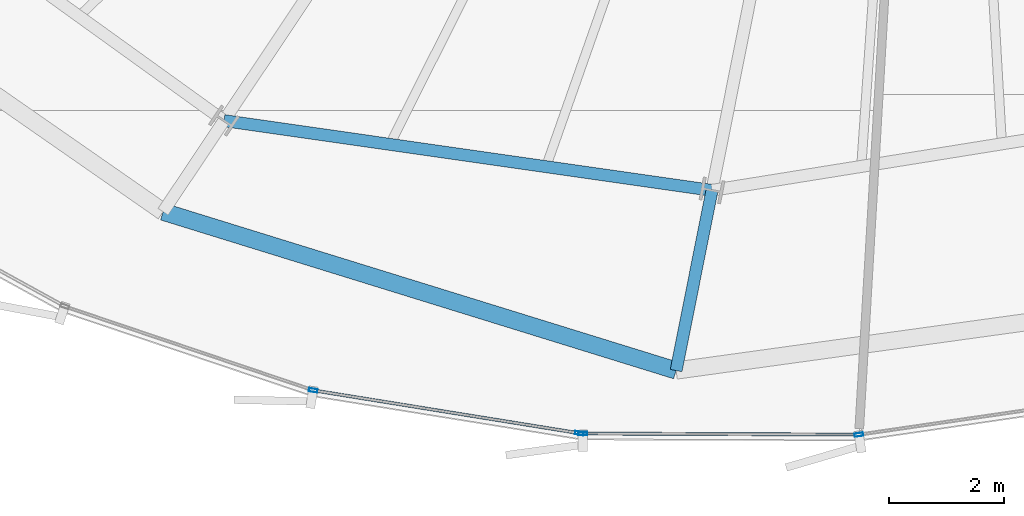
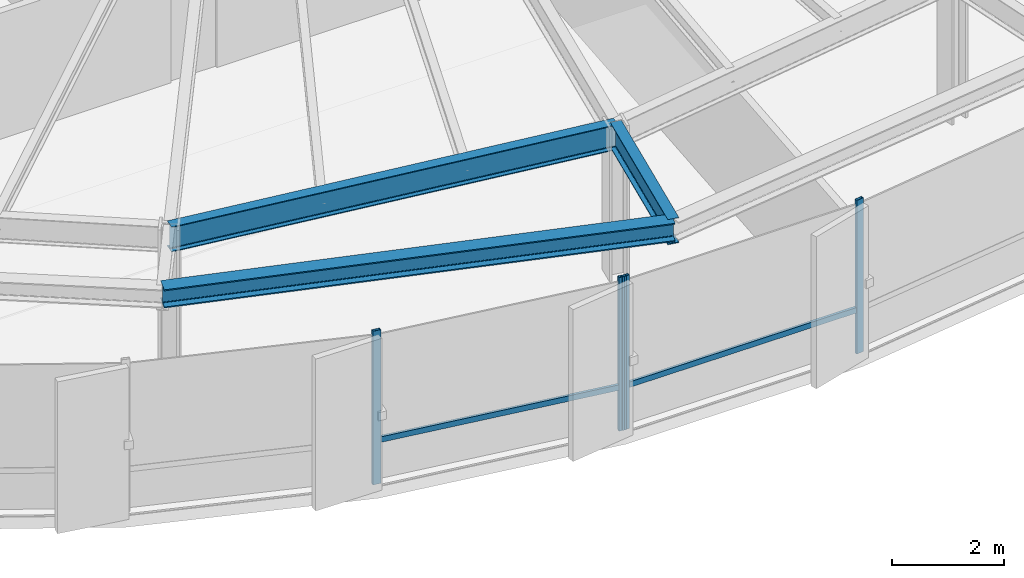
# One storey, part 5 of 33: 6 members, 3 beams, 2 elements without a shape of their own.
"""IFC4 building model written with IfcOpenShell, lengths in metres."""

from ifc_helpers import new_model, si_unit, direction, frame, origin, origin_2d, place, context, subcontext, project, spatial, hollow_rectangle, i_section, extrude, source, transform, mapped, material, layer, layer_set, material_profile, profile_set, type_object, element, aggregate, save


model = new_model("IFC4")

# Units and contexts
model_context = context("Model", 3, precision=1e-05, world=origin(), true_north=direction((0.0, 1.0)))
body_context = subcontext(model_context, "Body", "Model", "MODEL_VIEW")
ifc_project = project(units=[si_unit("LENGTHUNIT", "METRE"), si_unit("AREAUNIT", "SQUARE_METRE"), si_unit("VOLUMEUNIT", "CUBIC_METRE"), si_unit("PLANEANGLEUNIT", "RADIAN"), si_unit("MASSUNIT", "GRAM", prefix="KILO"), si_unit("THERMODYNAMICTEMPERATUREUNIT", "KELVIN")], contexts=[model_context])

# Site, building, storey
site_placement = place(None, origin())
site = spatial("IfcSite", under=ifc_project, at=site_placement, CompositionType="ELEMENT")
building_placement = place(site_placement, origin())
building = spatial("IfcBuilding", under=site, at=building_placement, Name="Kethvar Cultural Tower", CompositionType="ELEMENT")
storey_placement = place(building_placement, frame((0.0, 0.0, 118.0)))
storey = spatial("IfcBuildingStorey", under=building, at=storey_placement, Name="L29", CompositionType="ELEMENT", Elevation=118.0)

# Beams
ifc_material_1 = material(Name="Steel S355J2", Category="steel")
ifc_material_profile_1 = material_profile(ifc_material_1, i_section(OverallWidth=0.2099609375, OverallDepth=0.550048828125, WebThickness=0.010986328125, FlangeThickness=0.01708984375, FilletRadius=0.02392578125, at=origin_2d()), Name="Steel S355J2 — IPE550")
ifc_profile_set_1 = profile_set([ifc_material_profile_1], Name="Steel S355J2 — IPE550")
beam_type_1 = type_object("IfcBeamType", Name="BM-IPE550", PredefinedType="BEAM", material=ifc_profile_set_1)
shared_shape_1 = source(origin(), body_context, "Body", "SweptSolid", [
    extrude(i_section(OverallWidth=0.2099609375, OverallDepth=0.550048828125, WebThickness=0.010986328125, FlangeThickness=0.01708984375, FilletRadius=0.02392578125, at=origin_2d()), origin(), (0.0, 0.0, 1.0), 3.2001953125),
])
beam_1_placement = place(storey_placement, frame((42.852294921875, 7.95361328125, 3.072998046875), z_axis=(-0.195074368086, -0.980788453702, 0.0), x_axis=(0.980788453702, -0.195074368086, 0.0)))
element("IfcBeam", 1, at=beam_1_placement, inside=storey, type_object=beam_type_1, Name="L29 Perimeter Cantilever Beam RC-12", PredefinedType="BEAM", context=body_context, shape_type="MappedRepresentation", body=[
    mapped(shared_shape_1, transform((0.0, 0.0, 0.0), scale=1.0)),
])
shared_shape_2 = source(origin(), body_context, "Body", "SweptSolid", [
    extrude(i_section(OverallWidth=0.2099609375, OverallDepth=0.550048828125, WebThickness=0.010986328125, FlangeThickness=0.01708984375, FilletRadius=0.02392578125, at=origin_2d()), origin(), (0.0, 0.0, 1.0), 8.587890625),
])
beam_2_placement = place(storey_placement, frame((34.350830078125, 9.16845703125, 3.072998046875), z_axis=(0.989943807123, -0.141461156288, 0.0), x_axis=(0.141461156288, 0.989943807123, 0.0)))
element("IfcBeam", 2, at=beam_2_placement, inside=storey, type_object=beam_type_1, Name="L29 Column Ring Tie Beam CR-11", PredefinedType="BEAM", context=body_context, shape_type="MappedRepresentation", body=[
    mapped(shared_shape_2, transform((0.0, 0.0, 0.0), scale=1.0)),
])
ifc_material_profile_2 = material_profile(ifc_material_1, i_section(OverallWidth=0.300048828125, OverallDepth=0.39990234375, WebThickness=0.013427734375, FlangeThickness=0.02392578125, FilletRadius=0.027099609375, at=origin_2d()), Name="Steel S355J2 — HEB400")
ifc_profile_set_2 = profile_set([ifc_material_profile_2], Name="Steel S355J2 — HEB400")
beam_type_2 = type_object("IfcBeamType", Name="BM-SP400", PredefinedType="SPANDREL", material=ifc_profile_set_2)
shared_shape_3 = source(origin(), body_context, "Body", "SweptSolid", [
    extrude(i_section(OverallWidth=0.300048828125, OverallDepth=0.39990234375, WebThickness=0.013427734375, FlangeThickness=0.02392578125, FilletRadius=0.027099609375, at=origin_2d()), origin(), (0.0, 0.0, 1.0), 9.35595703125),
])
beam_3_placement = place(storey_placement, frame((33.290283203125, 7.581298828125, 3.14794921875), z_axis=(0.955288523039, -0.29567522343, 0.0), x_axis=(0.29567522343, 0.955288523039, 0.0)))
element("IfcBeam", 3, at=beam_3_placement, inside=storey, type_object=beam_type_2, Name="L29 Perimeter Spandrel Beam SP-11", PredefinedType="SPANDREL", context=body_context, shape_type="MappedRepresentation", body=[
    mapped(shared_shape_3, transform((0.0, 0.0, 0.0), scale=1.0)),
])

# Curtain wall, members
ifc_material_2 = material(Name="Aluminium 6063-T6", Category="aluminium")
ifc_layer = layer(ifc_material_2, 0.179931640625, Name="Aluminium 6063-T6", Category="aluminium")
ifc_layer_set = layer_set([ifc_layer], Name="Aluminium 6063-T6 (180 mm)")
curtain_wall_type = type_object("IfcCurtainWallType", Name="CW-SYS-03-Z2", PredefinedType="NOTDEFINED", material=ifc_layer_set)
curtain_wall_1_placement = place(storey_placement, origin())
curtain_wall_1 = element("IfcCurtainWall", 4, at=curtain_wall_1_placement, inside=storey, type_object=curtain_wall_type, Name="L29 Curtain Wall Run 04", PredefinedType="NOTDEFINED")
ifc_material_profile_3 = material_profile(ifc_material_2, hollow_rectangle(XDim=0.06005859375, YDim=0.14990234375, WallThickness=0.0048828125, at=origin_2d()), Name="Aluminium 6063-T6 — RHS150x60x5")
ifc_profile_set_3 = profile_set([ifc_material_profile_3], Name="Aluminium 6063-T6 — RHS150x60x5")
member_type_1 = type_object("IfcMemberType", Name="CW-SYS-03-Z2-MUL", PredefinedType="MULLION", material=ifc_profile_set_3)
shared_shape_4 = source(origin(), body_context, "Body", "SweptSolid", [
    extrude(hollow_rectangle(XDim=0.06005859375, YDim=0.14990234375, WallThickness=0.0048828125, at=origin_2d()), origin(), (0.0, 0.0, 1.0), 3.35009765625),
])
member_1_placement = place(storey_placement, frame((35.90283203125, 4.47021484375, 0.0), z_axis=(0.0, 0.0, 1.0), x_axis=(0.159123074391, 0.987258753922, 0.0)))
member_1 = element("IfcMember", 5, at=member_1_placement, type_object=member_type_1, Name="CW-L29-R04 Mullion 6", PredefinedType="MULLION", context=body_context, shape_type="MappedRepresentation", body=[
    mapped(shared_shape_4, transform((0.0, 0.0, 0.0), scale=1.0)),
])
member_2_placement = place(storey_placement, frame((40.541748046875, 3.72265625, 0.0), z_axis=(0.0, 0.0, 1.0), x_axis=(0.159123074391, 0.987258753922, 0.0)))
member_2 = element("IfcMember", 6, at=member_2_placement, type_object=member_type_1, Name="CW-L29-R04 Mullion 7", PredefinedType="MULLION", context=body_context, shape_type="MappedRepresentation", body=[
    mapped(shared_shape_4, transform((0.0, 0.0, 0.0), scale=1.0)),
])

curtain_wall_2_placement = place(storey_placement, origin())
curtain_wall_2 = element("IfcCurtainWall", 7, at=curtain_wall_2_placement, inside=storey, type_object=curtain_wall_type, Name="L29 Curtain Wall Run 05", PredefinedType="NOTDEFINED")
member_3_placement = place(storey_placement, frame((40.601318359375, 3.7177734375, 0.0), z_axis=(0.0, 0.0, 1.0), x_axis=(0.003857168083, 0.9999925611, 0.0)))
member_3 = element("IfcMember", 8, at=member_3_placement, type_object=member_type_1, Name="CW-L29-R05 Mullion 1", PredefinedType="MULLION", context=body_context, shape_type="MappedRepresentation", body=[
    mapped(shared_shape_4, transform((0.0, 0.0, 0.0), scale=1.0)),
])
member_4_placement = place(storey_placement, frame((45.412353515625, 3.697998046875, 0.0), z_axis=(0.0, 0.0, 1.0), x_axis=(-0.14456344363, 0.989495533474, 0.0)))
member_4 = element("IfcMember", 9, at=member_4_placement, type_object=member_type_1, Name="CW-L29-R05 Mullion 2", PredefinedType="MULLION", context=body_context, shape_type="MappedRepresentation", body=[
    mapped(shared_shape_4, transform((0.0, 0.0, 0.0), scale=1.0)),
])

# Member
ifc_material_profile_4 = material_profile(ifc_material_2, hollow_rectangle(XDim=0.054931640625, YDim=0.1201171875, WallThickness=0.00390625, at=origin_2d()), Name="Aluminium 6063-T6 — RHS120x55x4")
ifc_profile_set_4 = profile_set([ifc_material_profile_4], Name="Aluminium 6063-T6 — RHS120x55x4")
member_type_2 = type_object("IfcMemberType", Name="CW-SYS-03-Z2-TRN", PredefinedType="USERDEFINED", material=ifc_profile_set_4)
shared_shape_5 = source(origin(), body_context, "Body", "SweptSolid", [
    extrude(hollow_rectangle(XDim=0.054931640625, YDim=0.1201171875, WallThickness=0.00390625, at=origin_2d()), origin(), (0.0, 0.0, 1.0), 4.651611328125),
])
member_5_placement = place(storey_placement, frame((35.9453125, 4.46337890625, 0.949951171875), z_axis=(0.987264797764, -0.159085571612, 0.0), x_axis=(0.159085571612, 0.987264797764, 0.0)))
member_5 = element("IfcMember", 10, at=member_5_placement, type_object=member_type_2, Name="CW-L29-R04 Transom 6", ObjectType="TRANSOM", PredefinedType="USERDEFINED", context=body_context, shape_type="MappedRepresentation", body=[
    mapped(shared_shape_5, transform((0.0, 0.0, 0.0), scale=1.0)),
])

aggregate(curtain_wall_1, [member_1, member_2, member_5])

shared_shape_6 = source(origin(), body_context, "Body", "SweptSolid", [
    extrude(hollow_rectangle(XDim=0.054931640625, YDim=0.1201171875, WallThickness=0.00390625, at=origin_2d()), origin(), (0.0, 0.0, 1.0), 4.780517578125),
])
member_6_placement = place(storey_placement, frame((40.60546875, 3.7177734375, 0.949951171875), z_axis=(0.999992467788, -0.003881284283, 0.0), x_axis=(0.003881284283, 0.999992467788, 0.0)))
member_6 = element("IfcMember", 11, at=member_6_placement, type_object=member_type_2, Name="CW-L29-R05 Transom 1", ObjectType="TRANSOM", PredefinedType="USERDEFINED", context=body_context, shape_type="MappedRepresentation", body=[
    mapped(shared_shape_6, transform((0.0, 0.0, 0.0), scale=1.0)),
])

aggregate(curtain_wall_2, [member_3, member_4, member_6])

save(model, "model.ifc")
